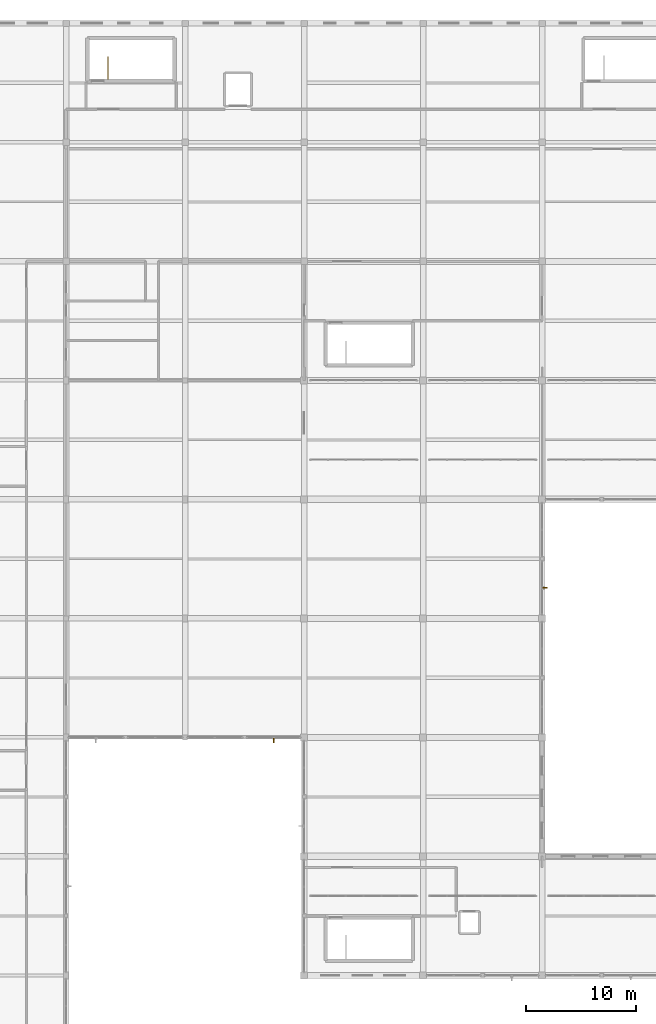
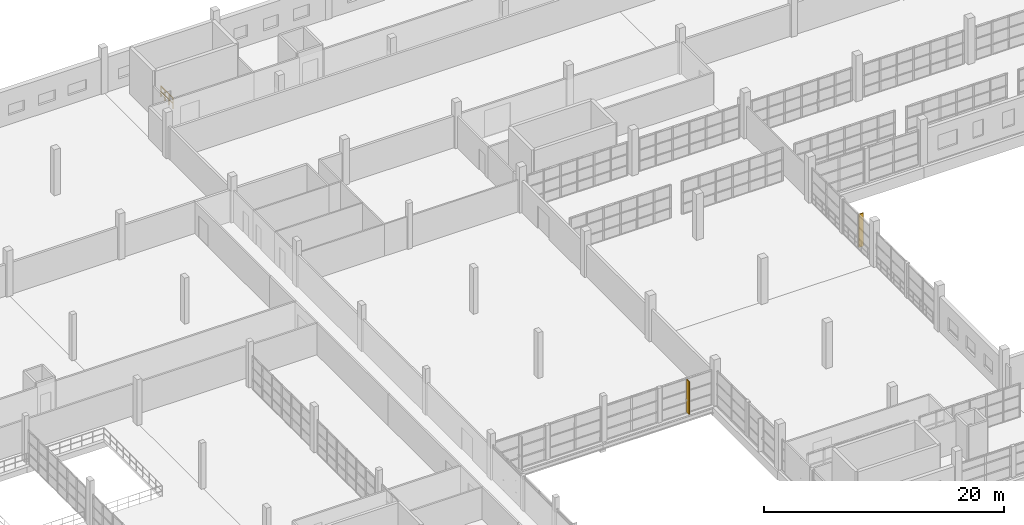
# One storey, part 133 of 142: 2 shading devices, 1 railing.
"""IFC4 building model written with IfcOpenShell, lengths in metres."""

from ifc_helpers import new_model, si_unit, direction, frame, origin, origin_2d, place, context, subcontext, project, spatial, rectangle, circle, extrude, material, type_object, element, save


model = new_model("IFC4")

# Units and contexts
model_context = context("Model", 3, precision=1e-05, world=origin(), true_north=direction((0.0, 1.0)))
body_context = subcontext(model_context, "Body", "Model", "MODEL_VIEW")
ifc_project = project(units=[si_unit("LENGTHUNIT", "METRE"), si_unit("AREAUNIT", "SQUARE_METRE"), si_unit("VOLUMEUNIT", "CUBIC_METRE"), si_unit("PLANEANGLEUNIT", "RADIAN"), si_unit("MASSUNIT", "GRAM", prefix="KILO")], contexts=[model_context])

# Site, building, storey
site_placement = place(None, origin())
site = spatial("IfcSite", under=ifc_project, at=site_placement, CompositionType="ELEMENT")
building_placement = place(site_placement, origin())
building = spatial("IfcBuilding", under=site, at=building_placement, Name="Zwinboog Wholesale Market", CompositionType="ELEMENT")
storey_placement = place(building_placement, frame((0.0, 0.0, 5.39990234375)))
storey = spatial("IfcBuildingStorey", under=building, at=storey_placement, Name="L01", CompositionType="ELEMENT", Elevation=5.39990234375)

# Shading devices
ifc_material_1 = material(Name="Western red cedar timber", Category="wood")
shading_device_type = type_object("IfcShadingDeviceType", Name="SHD-FIN-CEDAR", PredefinedType="USERDEFINED", material=ifc_material_1)
for number, where, z_axis, x_axis, name in (
    (1, (62.0400390625, 64.544921875, 0.080078125), (0.0, 0.0, 1.0), (0.0, 1.0, 0.0), "FN-01 (SHD-FIN-027)"),
    (2, (86.669921875, 78.360107421875, 0.080078125), (0.0, 0.0, 1.0), (1.0, 0.0, 0.0), "FN-01 (SHD-FIN-030)"),
):
    element("IfcShadingDevice", number, at=place(storey_placement, frame(where, z_axis=z_axis, x_axis=x_axis)), inside=storey, type_object=shading_device_type, Name=name, ObjectType="FIN", PredefinedType="USERDEFINED", context=body_context, shape_type="SweptSolid", body=[
        extrude(rectangle(XDim=0.419921875, YDim=0.0849609375, at=origin_2d()), origin(), (0.0, 0.0, 1.0), 3.3798828125),
    ])

# Railing
ifc_material_2 = material(Name="Steel S355", Category="steel")
railing_type = type_object("IfcRailingType", Name="RLT-INT-GUARD", PredefinedType="BALUSTRADE", material=ifc_material_2)
railing_placement = place(storey_placement, frame((47.02001953125, 126.5400390625, 0.0)))
element("IfcRailing", 3, at=railing_placement, inside=storey, type_object=railing_type, Name="GR-02 (RLG-ST-03-GTOP)", PredefinedType="BALUSTRADE", context=body_context, shape_type="SweptSolid", body=[
    extrude(circle(Radius=0.02392578125, at=origin_2d()), frame((0.0, 0.0, 1.09619140625), z_axis=(0.0, -1.0, 0.0), x_axis=(1.0, 0.0, 0.0)), (0.0, 0.0, 1.0), 2.0),
    extrude(circle(Radius=0.02392578125, at=origin_2d()), frame((0.0, 0.0, 0.5361328125), z_axis=(0.0, -1.0, 0.0), x_axis=(1.0, 0.0, 0.0)), (0.0, 0.0, 1.0), 2.0),
    extrude(circle(Radius=0.02099609375, at=origin_2d()), origin(), (0.0, 0.0, 1.0), 1.072021484375),
    extrude(circle(Radius=0.02099609375, at=origin_2d()), frame((0.0, -0.666748046875, 0.0)), (0.0, 0.0, 1.0), 1.072021484375),
    extrude(circle(Radius=0.02099609375, at=origin_2d()), frame((0.0, -1.333251953125, 0.0)), (0.0, 0.0, 1.0), 1.072021484375),
    extrude(circle(Radius=0.02099609375, at=origin_2d()), frame((0.0, -2.0, 0.0)), (0.0, 0.0, 1.0), 1.072021484375),
])

save(model, "model.ifc")
